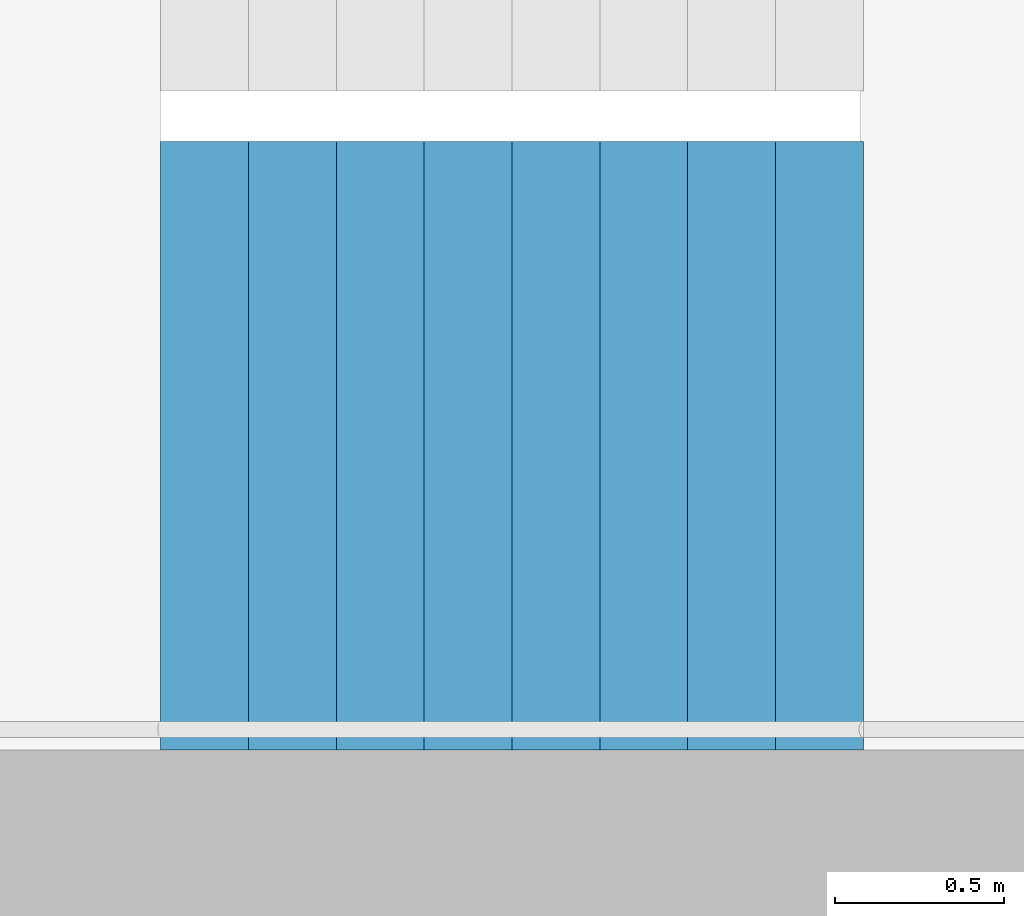
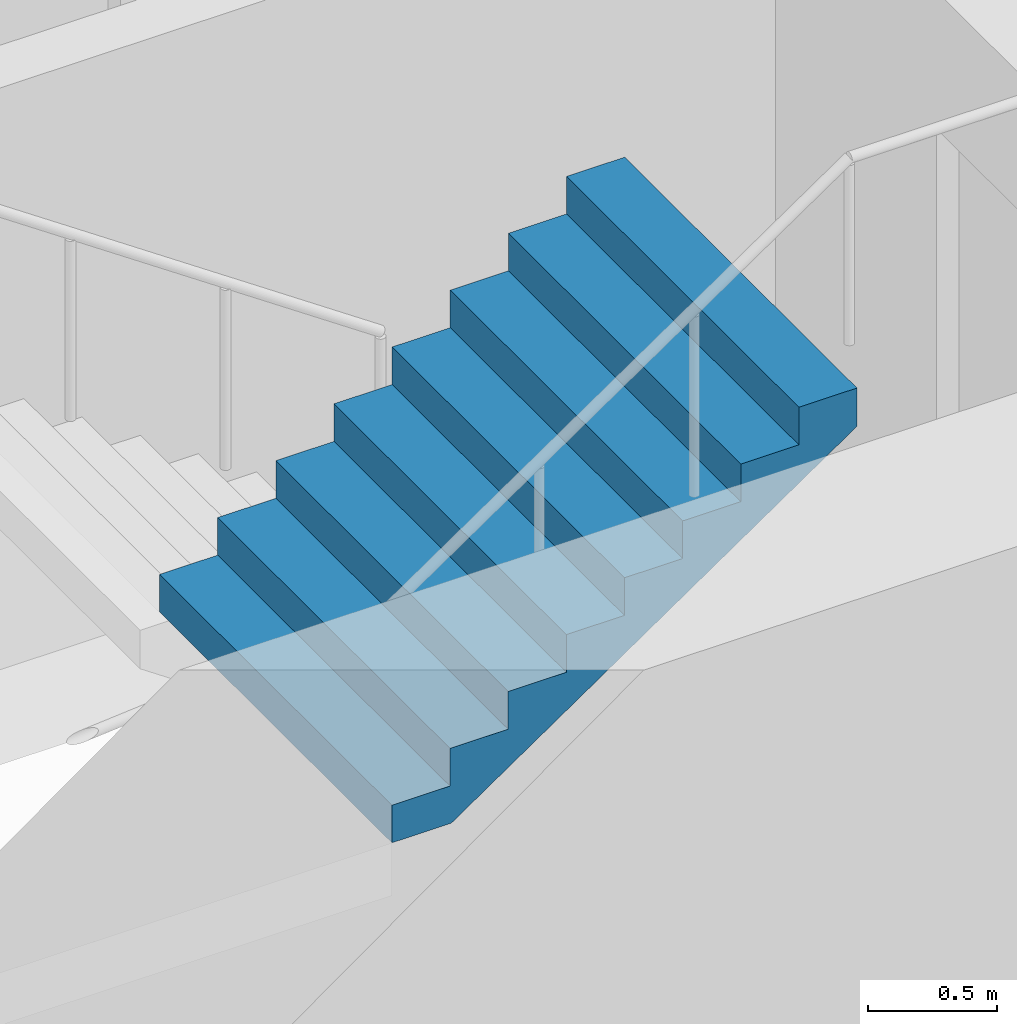
# One storey, part 16 of 28: 1 stair flight, 1 element without a shape of its own.
"""IFC4 building model written with IfcOpenShell, lengths in metres."""

from ifc_helpers import new_model, si_unit, direction, frame, origin, place, context, subcontext, project, spatial, triangles, material, type_object, element, aggregate, save


model = new_model("IFC4")

# Units and contexts
model_context = context("Model", 3, precision=1e-05, world=origin(), true_north=direction((0.0, 1.0)))
body_context = subcontext(model_context, "Body", "Model", "MODEL_VIEW")
ifc_project = project(units=[si_unit("LENGTHUNIT", "METRE"), si_unit("AREAUNIT", "SQUARE_METRE"), si_unit("VOLUMEUNIT", "CUBIC_METRE"), si_unit("PLANEANGLEUNIT", "RADIAN"), si_unit("MASSUNIT", "GRAM", prefix="KILO")], contexts=[model_context])

# Site, building, storey
site_placement = place(None, origin())
site = spatial("IfcSite", under=ifc_project, at=site_placement, CompositionType="ELEMENT")
building_placement = place(site_placement, origin())
building = spatial("IfcBuilding", under=site, at=building_placement, Name="Hakoniwa Tower and Hamabe Station Hall", CompositionType="ELEMENT")
storey_placement = place(building_placement, frame((0.0, 0.0, 193.0)))
storey = spatial("IfcBuildingStorey", under=building, at=storey_placement, Name="L54", CompositionType="ELEMENT", Elevation=193.0)

# Stair, stair flight
ifc_material_1 = material(Name="Concrete C40", Category="concrete")
stair_type = type_object("IfcStairType", Name="ESCAPE STAIR 1800", PredefinedType="HALF_TURN_STAIR", material=ifc_material_1)
stair_placement = place(storey_placement, origin())
stair = element("IfcStair", 1, at=stair_placement, inside=storey, type_object=stair_type, Name="Escape stair ST-2 L54", PredefinedType="HALF_TURN_STAIR")
ifc_material_2 = material(Name="Concrete C40", Category="concrete")
stair_flight_type = type_object("IfcStairFlightType", Name="STAIR FLIGHT 1800", PredefinedType="STRAIGHT", material=ifc_material_2)
stair_flight_placement = place(storey_placement, frame((-25.47998046875, -6.60009765625, 1.60009765625), z_axis=(0.0, 0.0, 1.0), x_axis=(1.0, 0.0, 0.0)))
stair_flight = element("IfcStairFlight", 2, at=stair_flight_placement, type_object=stair_flight_type, Name="ST-2 flight 2", NumberOfRisers=9, NumberOfTreads=8, PredefinedType="STRAIGHT", RiserHeight=0.177777778, TreadLength=0.26, context=body_context, shape_type="Tessellation", body=[
    triangles([(0.0, 0.89990234375, 0.0), (0.260009765625, 0.89990234375, 0.0), (0.265625, 0.89990234375, 0.0), (0.52001953125, 0.89990234375, 0.174072265625), (0.780029296875, 0.89990234375, 0.351806640625), (1.0400390625, 0.89990234375, 0.529541015625), (1.300048828125, 0.89990234375, 0.707275390625), (1.56005859375, 0.89990234375, 0.885009765625), (1.820068359375, 0.89990234375, 1.062744140625), (2.080078125, 0.89990234375, 1.24072265625), (2.080078125, 0.89990234375, 1.422119140625), (1.820068359375, 0.89990234375, 1.422119140625), (1.820068359375, 0.89990234375, 1.244384765625), (1.56005859375, 0.89990234375, 1.244384765625), (1.56005859375, 0.89990234375, 1.066650390625), (1.300048828125, 0.89990234375, 1.066650390625), (1.300048828125, 0.89990234375, 0.888916015625), (1.0400390625, 0.89990234375, 0.888916015625), (1.0400390625, 0.89990234375, 0.711181640625), (0.780029296875, 0.89990234375, 0.711181640625), (0.780029296875, 0.89990234375, 0.533447265625), (0.52001953125, 0.89990234375, 0.533447265625), (0.52001953125, 0.89990234375, 0.35546875), (0.265625, 0.89990234375, 0.35546875), (0.260009765625, 0.89990234375, 0.35546875), (0.260009765625, 0.89990234375, 0.177734375), (0.0, 0.89990234375, 0.177734375), (0.0, 0.06005859375, 0.0), (0.260009765625, 0.06005859375, 0.0), (0.265625, 0.06005859375, 0.0), (0.52001953125, 0.06005859375, 0.174072265625), (0.780029296875, 0.06005859375, 0.351806640625), (1.0400390625, 0.06005859375, 0.529541015625), (1.300048828125, 0.06005859375, 0.707275390625), (1.56005859375, 0.06005859375, 0.885009765625), (1.820068359375, 0.06005859375, 1.062744140625), (2.080078125, 0.06005859375, 1.24072265625), (2.080078125, 0.06005859375, 1.422119140625), (1.820068359375, 0.06005859375, 1.422119140625), (1.820068359375, 0.06005859375, 1.244384765625), (1.56005859375, 0.06005859375, 1.244384765625), (1.56005859375, 0.06005859375, 1.066650390625), (1.300048828125, 0.06005859375, 1.066650390625), (1.300048828125, 0.06005859375, 0.888916015625), (1.0400390625, 0.06005859375, 0.888916015625), (1.0400390625, 0.06005859375, 0.711181640625), (0.780029296875, 0.06005859375, 0.711181640625), (0.780029296875, 0.06005859375, 0.533447265625), (0.52001953125, 0.06005859375, 0.533447265625), (0.52001953125, 0.06005859375, 0.35546875), (0.265625, 0.06005859375, 0.35546875), (0.260009765625, 0.06005859375, 0.35546875), (0.260009765625, 0.06005859375, 0.177734375), (0.0, 0.06005859375, 0.177734375), (0.0, 0.04296875, 0.0), (0.260009765625, 0.04296875, 0.0), (0.265625, 0.04296875, 0.0), (0.52001953125, 0.04296875, 0.174072265625), (0.780029296875, 0.04296875, 0.351806640625), (1.0400390625, 0.04296875, 0.529541015625), (1.300048828125, 0.04296875, 0.707275390625), (1.56005859375, 0.04296875, 0.885009765625), (1.820068359375, 0.04296875, 1.062744140625), (2.080078125, 0.04296875, 1.24072265625), (2.080078125, 0.04296875, 1.422119140625), (1.820068359375, 0.04296875, 1.422119140625), (1.820068359375, 0.04296875, 1.244384765625), (1.56005859375, 0.04296875, 1.244384765625), (1.56005859375, 0.04296875, 1.066650390625), (1.300048828125, 0.04296875, 1.066650390625), (1.300048828125, 0.04296875, 0.888916015625), (1.0400390625, 0.04296875, 0.888916015625), (1.0400390625, 0.04296875, 0.711181640625), (0.780029296875, 0.04296875, 0.711181640625), (0.780029296875, 0.04296875, 0.533447265625), (0.52001953125, 0.04296875, 0.533447265625), (0.52001953125, 0.04296875, 0.35546875), (0.265625, 0.04296875, 0.35546875), (0.260009765625, 0.04296875, 0.35546875), (0.260009765625, 0.04296875, 0.177734375), (0.0, 0.04296875, 0.177734375), (0.0, 0.025634765625, 0.0), (0.260009765625, 0.025634765625, 0.0), (0.265625, 0.025634765625, 0.0), (0.52001953125, 0.025634765625, 0.174072265625), (0.780029296875, 0.025634765625, 0.351806640625), (1.0400390625, 0.025634765625, 0.529541015625), (1.300048828125, 0.025634765625, 0.707275390625), (1.56005859375, 0.025634765625, 0.885009765625), (1.820068359375, 0.025634765625, 1.062744140625), (2.080078125, 0.025634765625, 1.24072265625), (2.080078125, 0.025634765625, 1.422119140625), (1.820068359375, 0.025634765625, 1.422119140625), (1.820068359375, 0.025634765625, 1.244384765625), (1.56005859375, 0.025634765625, 1.244384765625), (1.56005859375, 0.025634765625, 1.066650390625), (1.300048828125, 0.025634765625, 1.066650390625), (1.300048828125, 0.025634765625, 0.888916015625), (1.0400390625, 0.025634765625, 0.888916015625), (1.0400390625, 0.025634765625, 0.711181640625), (0.780029296875, 0.025634765625, 0.711181640625), (0.780029296875, 0.025634765625, 0.533447265625), (0.52001953125, 0.025634765625, 0.533447265625), (0.52001953125, 0.025634765625, 0.35546875), (0.265625, 0.025634765625, 0.35546875), (0.260009765625, 0.025634765625, 0.35546875), (0.260009765625, 0.025634765625, 0.177734375), (0.0, 0.025634765625, 0.177734375), (0.0, 0.008544921875, 0.0), (0.260009765625, 0.008544921875, 0.0), (0.265625, 0.008544921875, 0.0), (0.52001953125, 0.008544921875, 0.174072265625), (0.780029296875, 0.008544921875, 0.351806640625), (1.0400390625, 0.008544921875, 0.529541015625), (1.300048828125, 0.008544921875, 0.707275390625), (1.56005859375, 0.008544921875, 0.885009765625), (1.820068359375, 0.008544921875, 1.062744140625), (2.080078125, 0.008544921875, 1.24072265625), (2.080078125, 0.008544921875, 1.422119140625), (1.820068359375, 0.008544921875, 1.422119140625), (1.820068359375, 0.008544921875, 1.244384765625), (1.56005859375, 0.008544921875, 1.244384765625), (1.56005859375, 0.008544921875, 1.066650390625), (1.300048828125, 0.008544921875, 1.066650390625), (1.300048828125, 0.008544921875, 0.888916015625), (1.0400390625, 0.008544921875, 0.888916015625), (1.0400390625, 0.008544921875, 0.711181640625), (0.780029296875, 0.008544921875, 0.711181640625), (0.780029296875, 0.008544921875, 0.533447265625), (0.52001953125, 0.008544921875, 0.533447265625), (0.52001953125, 0.008544921875, 0.35546875), (0.265625, 0.008544921875, 0.35546875), (0.260009765625, 0.008544921875, 0.35546875), (0.260009765625, 0.008544921875, 0.177734375), (0.0, 0.008544921875, 0.177734375), (0.0, -0.008544921875, 0.0), (0.260009765625, -0.008544921875, 0.0), (0.265625, -0.008544921875, 0.0), (0.52001953125, -0.008544921875, 0.174072265625), (0.780029296875, -0.008544921875, 0.351806640625), (1.0400390625, -0.008544921875, 0.529541015625), (1.300048828125, -0.008544921875, 0.707275390625), (1.56005859375, -0.008544921875, 0.885009765625), (1.820068359375, -0.008544921875, 1.062744140625), (2.080078125, -0.008544921875, 1.24072265625), (2.080078125, -0.008544921875, 1.422119140625), (1.820068359375, -0.008544921875, 1.422119140625), (1.820068359375, -0.008544921875, 1.244384765625), (1.56005859375, -0.008544921875, 1.244384765625), (1.56005859375, -0.008544921875, 1.066650390625), (1.300048828125, -0.008544921875, 1.066650390625), (1.300048828125, -0.008544921875, 0.888916015625), (1.0400390625, -0.008544921875, 0.888916015625), (1.0400390625, -0.008544921875, 0.711181640625), (0.780029296875, -0.008544921875, 0.711181640625), (0.780029296875, -0.008544921875, 0.533447265625), (0.52001953125, -0.008544921875, 0.533447265625), (0.52001953125, -0.008544921875, 0.35546875), (0.265625, -0.008544921875, 0.35546875), (0.260009765625, -0.008544921875, 0.35546875), (0.260009765625, -0.008544921875, 0.177734375), (0.0, -0.008544921875, 0.177734375), (0.0, -0.025634765625, 0.0), (0.260009765625, -0.025634765625, 0.0), (0.265625, -0.025634765625, 0.0), (0.52001953125, -0.025634765625, 0.174072265625), (0.780029296875, -0.025634765625, 0.351806640625), (1.0400390625, -0.025634765625, 0.529541015625), (1.300048828125, -0.025634765625, 0.707275390625), (1.56005859375, -0.025634765625, 0.885009765625), (1.820068359375, -0.025634765625, 1.062744140625), (2.080078125, -0.025634765625, 1.24072265625), (2.080078125, -0.025634765625, 1.422119140625), (1.820068359375, -0.025634765625, 1.422119140625), (1.820068359375, -0.025634765625, 1.244384765625), (1.56005859375, -0.025634765625, 1.244384765625), (1.56005859375, -0.025634765625, 1.066650390625), (1.300048828125, -0.025634765625, 1.066650390625), (1.300048828125, -0.025634765625, 0.888916015625), (1.0400390625, -0.025634765625, 0.888916015625), (1.0400390625, -0.025634765625, 0.711181640625), (0.780029296875, -0.025634765625, 0.711181640625), (0.780029296875, -0.025634765625, 0.533447265625), (0.52001953125, -0.025634765625, 0.533447265625), (0.52001953125, -0.025634765625, 0.35546875), (0.265625, -0.025634765625, 0.35546875), (0.260009765625, -0.025634765625, 0.35546875), (0.260009765625, -0.025634765625, 0.177734375), (0.0, -0.025634765625, 0.177734375), (0.0, -0.04296875, 0.0), (0.260009765625, -0.04296875, 0.0), (0.265625, -0.04296875, 0.0), (0.52001953125, -0.04296875, 0.174072265625), (0.780029296875, -0.04296875, 0.351806640625), (1.0400390625, -0.04296875, 0.529541015625), (1.300048828125, -0.04296875, 0.707275390625), (1.56005859375, -0.04296875, 0.885009765625), (1.820068359375, -0.04296875, 1.062744140625), (2.080078125, -0.04296875, 1.24072265625), (2.080078125, -0.04296875, 1.422119140625), (1.820068359375, -0.04296875, 1.422119140625), (1.820068359375, -0.04296875, 1.244384765625), (1.56005859375, -0.04296875, 1.244384765625), (1.56005859375, -0.04296875, 1.066650390625), (1.300048828125, -0.04296875, 1.066650390625), (1.300048828125, -0.04296875, 0.888916015625), (1.0400390625, -0.04296875, 0.888916015625), (1.0400390625, -0.04296875, 0.711181640625), (0.780029296875, -0.04296875, 0.711181640625), (0.780029296875, -0.04296875, 0.533447265625), (0.52001953125, -0.04296875, 0.533447265625), (0.52001953125, -0.04296875, 0.35546875), (0.265625, -0.04296875, 0.35546875), (0.260009765625, -0.04296875, 0.35546875), (0.260009765625, -0.04296875, 0.177734375), (0.0, -0.04296875, 0.177734375), (0.0, -0.06005859375, 0.0), (0.260009765625, -0.06005859375, 0.0), (0.265625, -0.06005859375, 0.0), (0.52001953125, -0.06005859375, 0.174072265625), (0.780029296875, -0.06005859375, 0.351806640625), (1.0400390625, -0.06005859375, 0.529541015625), (1.300048828125, -0.06005859375, 0.707275390625), (1.56005859375, -0.06005859375, 0.885009765625), (1.820068359375, -0.06005859375, 1.062744140625), (2.080078125, -0.06005859375, 1.24072265625), (2.080078125, -0.06005859375, 1.422119140625), (1.820068359375, -0.06005859375, 1.422119140625), (1.820068359375, -0.06005859375, 1.244384765625), (1.56005859375, -0.06005859375, 1.244384765625), (1.56005859375, -0.06005859375, 1.066650390625), (1.300048828125, -0.06005859375, 1.066650390625), (1.300048828125, -0.06005859375, 0.888916015625), (1.0400390625, -0.06005859375, 0.888916015625), (1.0400390625, -0.06005859375, 0.711181640625), (0.780029296875, -0.06005859375, 0.711181640625), (0.780029296875, -0.06005859375, 0.533447265625), (0.52001953125, -0.06005859375, 0.533447265625), (0.52001953125, -0.06005859375, 0.35546875), (0.265625, -0.06005859375, 0.35546875), (0.260009765625, -0.06005859375, 0.35546875), (0.260009765625, -0.06005859375, 0.177734375), (0.0, -0.06005859375, 0.177734375), (0.0, -0.89990234375, 0.0), (0.260009765625, -0.89990234375, 0.0), (0.265625, -0.89990234375, 0.0), (0.52001953125, -0.89990234375, 0.174072265625), (0.780029296875, -0.89990234375, 0.351806640625), (1.0400390625, -0.89990234375, 0.529541015625), (1.300048828125, -0.89990234375, 0.707275390625), (1.56005859375, -0.89990234375, 0.885009765625), (1.820068359375, -0.89990234375, 1.062744140625), (2.080078125, -0.89990234375, 1.24072265625), (2.080078125, -0.89990234375, 1.422119140625), (1.820068359375, -0.89990234375, 1.422119140625), (1.820068359375, -0.89990234375, 1.244384765625), (1.56005859375, -0.89990234375, 1.244384765625), (1.56005859375, -0.89990234375, 1.066650390625), (1.300048828125, -0.89990234375, 1.066650390625), (1.300048828125, -0.89990234375, 0.888916015625), (1.0400390625, -0.89990234375, 0.888916015625), (1.0400390625, -0.89990234375, 0.711181640625), (0.780029296875, -0.89990234375, 0.711181640625), (0.780029296875, -0.89990234375, 0.533447265625), (0.52001953125, -0.89990234375, 0.533447265625), (0.52001953125, -0.89990234375, 0.35546875), (0.265625, -0.89990234375, 0.35546875), (0.260009765625, -0.89990234375, 0.35546875), (0.260009765625, -0.89990234375, 0.177734375), (0.0, -0.89990234375, 0.177734375)], [[2, 27, 26], [245, 269, 270], [2, 1, 27], [245, 270, 244], [3, 25, 24], [246, 267, 268], [3, 26, 25], [246, 268, 269], [3, 2, 26], [246, 269, 245], [4, 24, 23], [247, 266, 267], [4, 3, 24], [247, 267, 246], [5, 22, 21], [248, 264, 265], [5, 23, 22], [248, 265, 266], [5, 4, 23], [248, 266, 247], [6, 20, 19], [249, 262, 263], [6, 21, 20], [249, 263, 264], [6, 5, 21], [249, 264, 248], [7, 18, 17], [250, 260, 261], [7, 19, 18], [250, 261, 262], [7, 6, 19], [250, 262, 249], [8, 16, 15], [251, 258, 259], [8, 17, 16], [251, 259, 260], [8, 7, 17], [251, 260, 250], [9, 14, 13], [252, 256, 257], [9, 15, 14], [252, 257, 258], [9, 8, 15], [252, 258, 251], [10, 12, 11], [253, 254, 255], [10, 13, 12], [253, 255, 256], [10, 9, 13], [253, 256, 252], [1, 2, 29], [1, 29, 28], [28, 29, 56], [28, 56, 55], [55, 56, 83], [55, 83, 82], [82, 83, 110], [82, 110, 109], [109, 110, 137], [109, 137, 136], [136, 137, 164], [136, 164, 163], [163, 164, 191], [163, 191, 190], [190, 191, 218], [190, 218, 217], [217, 218, 245], [217, 245, 244], [2, 3, 30], [2, 30, 29], [29, 30, 57], [29, 57, 56], [56, 57, 84], [56, 84, 83], [83, 84, 111], [83, 111, 110], [110, 111, 138], [110, 138, 137], [137, 138, 165], [137, 165, 164], [164, 165, 192], [164, 192, 191], [191, 192, 219], [191, 219, 218], [218, 219, 246], [218, 246, 245], [3, 4, 31], [3, 31, 30], [30, 31, 58], [30, 58, 57], [57, 58, 85], [57, 85, 84], [84, 85, 112], [84, 112, 111], [111, 112, 139], [111, 139, 138], [138, 139, 166], [138, 166, 165], [165, 166, 193], [165, 193, 192], [192, 193, 220], [192, 220, 219], [219, 220, 247], [219, 247, 246], [4, 5, 32], [4, 32, 31], [31, 32, 59], [31, 59, 58], [58, 59, 86], [58, 86, 85], [85, 86, 113], [85, 113, 112], [112, 113, 140], [112, 140, 139], [139, 140, 167], [139, 167, 166], [166, 167, 194], [166, 194, 193], [193, 194, 221], [193, 221, 220], [220, 221, 248], [220, 248, 247], [5, 6, 33], [5, 33, 32], [32, 33, 60], [32, 60, 59], [59, 60, 87], [59, 87, 86], [86, 87, 114], [86, 114, 113], [113, 114, 141], [113, 141, 140], [140, 141, 168], [140, 168, 167], [167, 168, 195], [167, 195, 194], [194, 195, 222], [194, 222, 221], [221, 222, 249], [221, 249, 248], [6, 7, 34], [6, 34, 33], [33, 34, 61], [33, 61, 60], [60, 61, 88], [60, 88, 87], [87, 88, 115], [87, 115, 114], [114, 115, 142], [114, 142, 141], [141, 142, 169], [141, 169, 168], [168, 169, 196], [168, 196, 195], [195, 196, 223], [195, 223, 222], [222, 223, 250], [222, 250, 249], [7, 8, 35], [7, 35, 34], [34, 35, 62], [34, 62, 61], [61, 62, 89], [61, 89, 88], [88, 89, 116], [88, 116, 115], [115, 116, 143], [115, 143, 142], [142, 143, 170], [142, 170, 169], [169, 170, 197], [169, 197, 196], [196, 197, 224], [196, 224, 223], [223, 224, 251], [223, 251, 250], [8, 9, 36], [8, 36, 35], [35, 36, 63], [35, 63, 62], [62, 63, 90], [62, 90, 89], [89, 90, 117], [89, 117, 116], [116, 117, 144], [116, 144, 143], [143, 144, 171], [143, 171, 170], [170, 171, 198], [170, 198, 197], [197, 198, 225], [197, 225, 224], [224, 225, 252], [224, 252, 251], [9, 10, 37], [9, 37, 36], [36, 37, 64], [36, 64, 63], [63, 64, 91], [63, 91, 90], [90, 91, 118], [90, 118, 117], [117, 118, 145], [117, 145, 144], [144, 145, 172], [144, 172, 171], [171, 172, 199], [171, 199, 198], [198, 199, 226], [198, 226, 225], [225, 226, 253], [225, 253, 252], [10, 11, 38], [10, 38, 37], [37, 38, 65], [37, 65, 64], [64, 65, 92], [64, 92, 91], [91, 92, 119], [91, 119, 118], [118, 119, 146], [118, 146, 145], [145, 146, 173], [145, 173, 172], [172, 173, 200], [172, 200, 199], [199, 200, 227], [199, 227, 226], [226, 227, 254], [226, 254, 253], [11, 12, 39], [11, 39, 38], [38, 39, 66], [38, 66, 65], [65, 66, 93], [65, 93, 92], [92, 93, 120], [92, 120, 119], [119, 120, 147], [119, 147, 146], [146, 147, 174], [146, 174, 173], [173, 174, 201], [173, 201, 200], [200, 201, 228], [200, 228, 227], [227, 228, 255], [227, 255, 254], [12, 13, 40], [12, 40, 39], [39, 40, 67], [39, 67, 66], [66, 67, 94], [66, 94, 93], [93, 94, 121], [93, 121, 120], [120, 121, 148], [120, 148, 147], [147, 148, 175], [147, 175, 174], [174, 175, 202], [174, 202, 201], [201, 202, 229], [201, 229, 228], [228, 229, 256], [228, 256, 255], [13, 14, 41], [13, 41, 40], [40, 41, 68], [40, 68, 67], [67, 68, 95], [67, 95, 94], [94, 95, 122], [94, 122, 121], [121, 122, 149], [121, 149, 148], [148, 149, 176], [148, 176, 175], [175, 176, 203], [175, 203, 202], [202, 203, 230], [202, 230, 229], [229, 230, 257], [229, 257, 256], [14, 15, 42], [14, 42, 41], [41, 42, 69], [41, 69, 68], [68, 69, 96], [68, 96, 95], [95, 96, 123], [95, 123, 122], [122, 123, 150], [122, 150, 149], [149, 150, 177], [149, 177, 176], [176, 177, 204], [176, 204, 203], [203, 204, 231], [203, 231, 230], [230, 231, 258], [230, 258, 257], [15, 16, 43], [15, 43, 42], [42, 43, 70], [42, 70, 69], [69, 70, 97], [69, 97, 96], [96, 97, 124], [96, 124, 123], [123, 124, 151], [123, 151, 150], [150, 151, 178], [150, 178, 177], [177, 178, 205], [177, 205, 204], [204, 205, 232], [204, 232, 231], [231, 232, 259], [231, 259, 258], [16, 17, 44], [16, 44, 43], [43, 44, 71], [43, 71, 70], [70, 71, 98], [70, 98, 97], [97, 98, 125], [97, 125, 124], [124, 125, 152], [124, 152, 151], [151, 152, 179], [151, 179, 178], [178, 179, 206], [178, 206, 205], [205, 206, 233], [205, 233, 232], [232, 233, 260], [232, 260, 259], [17, 18, 45], [17, 45, 44], [44, 45, 72], [44, 72, 71], [71, 72, 99], [71, 99, 98], [98, 99, 126], [98, 126, 125], [125, 126, 153], [125, 153, 152], [152, 153, 180], [152, 180, 179], [179, 180, 207], [179, 207, 206], [206, 207, 234], [206, 234, 233], [233, 234, 261], [233, 261, 260], [18, 19, 46], [18, 46, 45], [45, 46, 73], [45, 73, 72], [72, 73, 100], [72, 100, 99], [99, 100, 127], [99, 127, 126], [126, 127, 154], [126, 154, 153], [153, 154, 181], [153, 181, 180], [180, 181, 208], [180, 208, 207], [207, 208, 235], [207, 235, 234], [234, 235, 262], [234, 262, 261], [19, 20, 47], [19, 47, 46], [46, 47, 74], [46, 74, 73], [73, 74, 101], [73, 101, 100], [100, 101, 128], [100, 128, 127], [127, 128, 155], [127, 155, 154], [154, 155, 182], [154, 182, 181], [181, 182, 209], [181, 209, 208], [208, 209, 236], [208, 236, 235], [235, 236, 263], [235, 263, 262], [20, 21, 48], [20, 48, 47], [47, 48, 75], [47, 75, 74], [74, 75, 102], [74, 102, 101], [101, 102, 129], [101, 129, 128], [128, 129, 156], [128, 156, 155], [155, 156, 183], [155, 183, 182], [182, 183, 210], [182, 210, 209], [209, 210, 237], [209, 237, 236], [236, 237, 264], [236, 264, 263], [21, 22, 49], [21, 49, 48], [48, 49, 76], [48, 76, 75], [75, 76, 103], [75, 103, 102], [102, 103, 130], [102, 130, 129], [129, 130, 157], [129, 157, 156], [156, 157, 184], [156, 184, 183], [183, 184, 211], [183, 211, 210], [210, 211, 238], [210, 238, 237], [237, 238, 265], [237, 265, 264], [22, 23, 50], [22, 50, 49], [49, 50, 77], [49, 77, 76], [76, 77, 104], [76, 104, 103], [103, 104, 131], [103, 131, 130], [130, 131, 158], [130, 158, 157], [157, 158, 185], [157, 185, 184], [184, 185, 212], [184, 212, 211], [211, 212, 239], [211, 239, 238], [238, 239, 266], [238, 266, 265], [23, 24, 51], [23, 51, 50], [50, 51, 78], [50, 78, 77], [77, 78, 105], [77, 105, 104], [104, 105, 132], [104, 132, 131], [131, 132, 159], [131, 159, 158], [158, 159, 186], [158, 186, 185], [185, 186, 213], [185, 213, 212], [212, 213, 240], [212, 240, 239], [239, 240, 267], [239, 267, 266], [24, 25, 52], [24, 52, 51], [51, 52, 79], [51, 79, 78], [78, 79, 106], [78, 106, 105], [105, 106, 133], [105, 133, 132], [132, 133, 160], [132, 160, 159], [159, 160, 187], [159, 187, 186], [186, 187, 214], [186, 214, 213], [213, 214, 241], [213, 241, 240], [240, 241, 268], [240, 268, 267], [25, 26, 53], [25, 53, 52], [52, 53, 80], [52, 80, 79], [79, 80, 107], [79, 107, 106], [106, 107, 134], [106, 134, 133], [133, 134, 161], [133, 161, 160], [160, 161, 188], [160, 188, 187], [187, 188, 215], [187, 215, 214], [214, 215, 242], [214, 242, 241], [241, 242, 269], [241, 269, 268], [26, 27, 54], [26, 54, 53], [53, 54, 81], [53, 81, 80], [80, 81, 108], [80, 108, 107], [107, 108, 135], [107, 135, 134], [134, 135, 162], [134, 162, 161], [161, 162, 189], [161, 189, 188], [188, 189, 216], [188, 216, 215], [215, 216, 243], [215, 243, 242], [242, 243, 270], [242, 270, 269], [27, 1, 28], [27, 28, 54], [54, 28, 55], [54, 55, 81], [81, 55, 82], [81, 82, 108], [108, 82, 109], [108, 109, 135], [135, 109, 136], [135, 136, 162], [162, 136, 163], [162, 163, 189], [189, 163, 190], [189, 190, 216], [216, 190, 217], [216, 217, 243], [243, 217, 244], [243, 244, 270]], closed=True),
])
aggregate(stair, [stair_flight])

save(model, "model.ifc")
